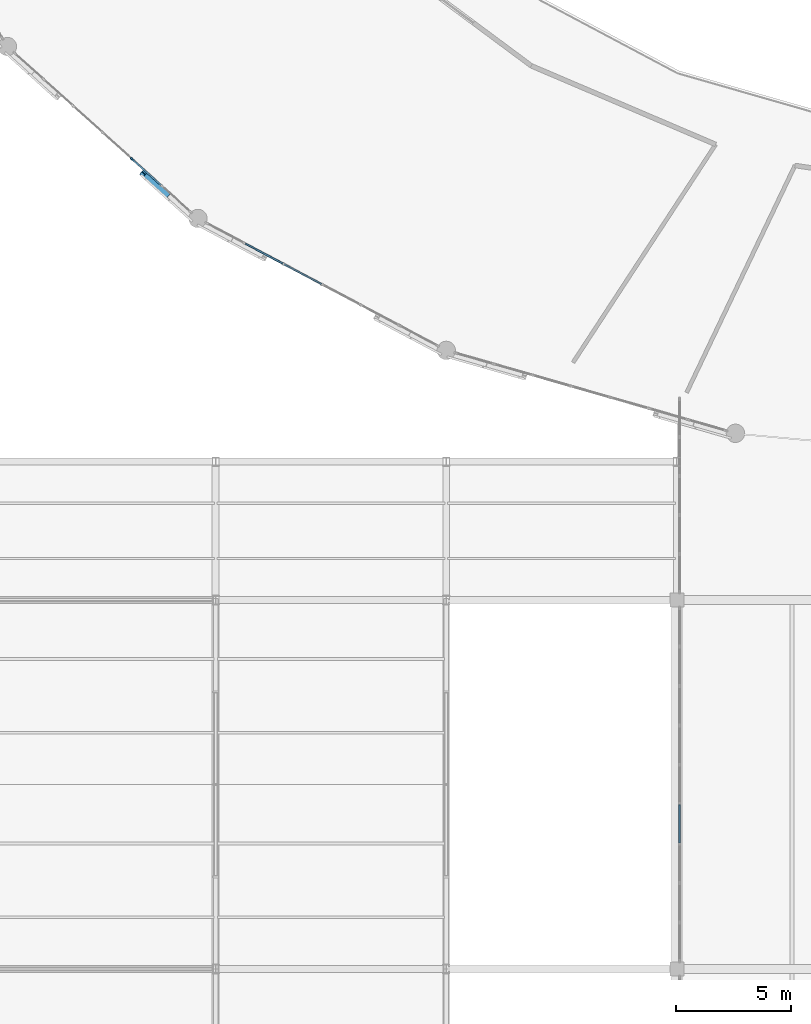
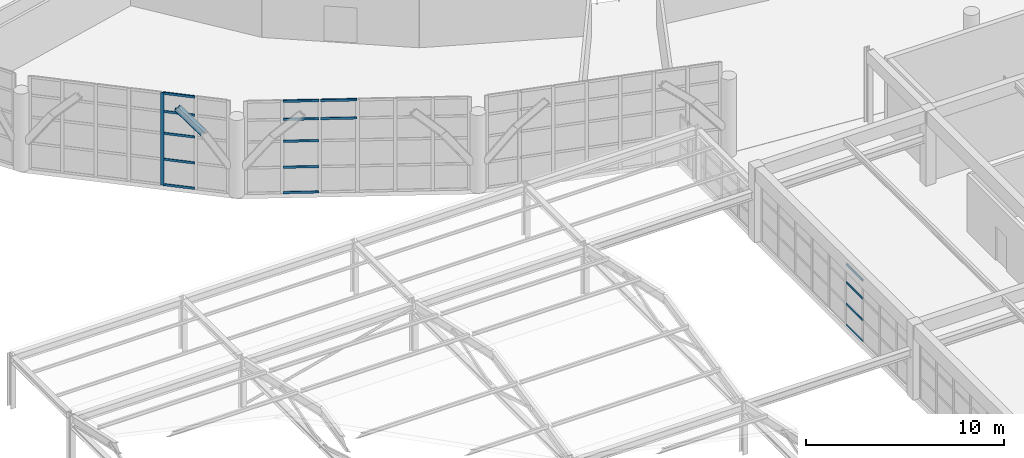
# One storey, part 20 of 109: 17 members, 1 beam, 3 elements without a shape of their own.
"""IFC4 building model written with IfcOpenShell, lengths in metres."""

from ifc_helpers import new_model, si_unit, direction, frame, origin, origin_2d, place, context, subcontext, project, spatial, rectangle, i_section, extrude, material, layer, layer_set, material_profile, profile_set, type_object, element, aggregate, save


model = new_model("IFC4")

# Units and contexts
model_context = context("Model", 3, precision=1e-05, world=origin(), true_north=direction((0.0, 1.0)))
body_context = subcontext(model_context, "Body", "Model", "MODEL_VIEW")
ifc_project = project(units=[si_unit("LENGTHUNIT", "METRE"), si_unit("AREAUNIT", "SQUARE_METRE"), si_unit("VOLUMEUNIT", "CUBIC_METRE"), si_unit("PLANEANGLEUNIT", "RADIAN"), si_unit("MASSUNIT", "GRAM", prefix="KILO")], contexts=[model_context])

# Site, building, storey
site_placement = place(None, origin())
site = spatial("IfcSite", under=ifc_project, at=site_placement, CompositionType="ELEMENT")
building_placement = place(site_placement, origin())
building = spatial("IfcBuilding", under=site, at=building_placement, Name="Kivolera Central Railway Station", CompositionType="ELEMENT")
storey_placement = place(building_placement, frame((0.0, 0.0, 9.60009765625)))
storey = spatial("IfcBuildingStorey", under=building, at=storey_placement, Name="L02", CompositionType="ELEMENT", Elevation=9.60009765625)

# Beam
ifc_material_1 = material(Name="Steel S355", Category="steel")
ifc_material_profile_1 = material_profile(ifc_material_1, i_section(OverallWidth=0.300048828125, OverallDepth=0.300048828125, WebThickness=0.010986328125, FlangeThickness=0.01904296875, FilletRadius=0.027099609375, at=origin_2d()), Name="HEB 300")
ifc_profile_set_1 = profile_set([ifc_material_profile_1], Name="Steel S355")
beam_type = type_object("IfcBeamType", Name="BM-LANT-ARCH", PredefinedType="SPANDREL", material=ifc_profile_set_1)
beam_placement = place(storey_placement, frame((24.875, 66.508056640625, 4.9599609375), z_axis=(0.523541860039, -0.473044746716, -0.708613144382), x_axis=(0.670417548864, 0.741984036334, 0.0)))
element("IfcBeam", 1, at=beam_placement, inside=storey, type_object=beam_type, Name="Oval Lantern Structural Arch Rib 15.5", PredefinedType="SPANDREL", context=body_context, shape_type="SweptSolid", body=[
    extrude(i_section(OverallWidth=0.300048828125, OverallDepth=0.300048828125, WebThickness=0.010986328125, FlangeThickness=0.01904296875, FilletRadius=0.027099609375, at=origin_2d()), origin(), (0.0, 0.0, 1.0), 1.91943359375),
])

# Curtain wall, members
ifc_material_2 = material(Name="Anodised aluminium", Category="aluminium")
ifc_layer_1 = layer(ifc_material_2, 0.179931640625, Name="Anodised aluminium")
ifc_layer_set_1 = layer_set([ifc_layer_1], Name="Anodised aluminium")
curtain_wall_type_1 = type_object("IfcCurtainWallType", Name="CW-SYS-06", PredefinedType="NOTDEFINED", material=ifc_layer_set_1)
curtain_wall_1_placement = place(storey_placement, origin())
curtain_wall_1 = element("IfcCurtainWall", 2, at=curtain_wall_1_placement, inside=storey, type_object=curtain_wall_type_1, Name="L02 Curtain Wall CW-L02-OVL-14", PredefinedType="NOTDEFINED")
ifc_material_profile_2 = material_profile(ifc_material_2, rectangle(XDim=0.070068359375, YDim=0.179931640625, at=origin_2d()), Name="ALU MULL 70x180")
ifc_profile_set_2 = profile_set([ifc_material_profile_2], Name="Anodised aluminium")
member_type_1 = type_object("IfcMemberType", Name="CWM-MUL-1", PredefinedType="MULLION", material=ifc_profile_set_2)
member_1_placement = place(storey_placement, frame((24.376708984375, 67.11865234375, -0.005126953125), z_axis=(0.0, 0.0, 1.0), x_axis=(-0.66992157428, -0.742431871833, 0.0)))
member_1 = element("IfcMember", 3, at=member_1_placement, type_object=member_type_1, Name="CW-06 mullion 3", PredefinedType="MULLION", context=body_context, shape_type="SweptSolid", body=[
    extrude(rectangle(XDim=0.070068359375, YDim=0.179931640625, at=origin_2d()), origin(), (0.0, 0.0, 1.0), 5.705078125),
])
ifc_material_profile_3 = material_profile(ifc_material_2, rectangle(XDim=0.070068359375, YDim=0.139892578125, at=origin_2d()), Name="ALU TRAN 70x140")
ifc_profile_set_3 = profile_set([ifc_material_profile_3], Name="Anodised aluminium")
member_type_2 = type_object("IfcMemberType", Name="CWM-TRN-1", PredefinedType="USERDEFINED", material=ifc_profile_set_3)
member_2_placement = place(storey_placement, frame((25.62890625, 65.98876953125, 0.034912109375), z_axis=(-0.74246304586, 0.669887024455, 0.0), x_axis=(-0.669887024455, -0.74246304586, 0.0)))
member_2 = element("IfcMember", 4, at=member_2_placement, type_object=member_type_2, Name="CW-06 transom 2.1", ObjectType="TRANSOM", PredefinedType="USERDEFINED", context=body_context, shape_type="SweptSolid", body=[
    extrude(rectangle(XDim=0.070068359375, YDim=0.139892578125, at=origin_2d()), origin(), (0.0, 0.0, 1.0), 1.651611328125),
])
member_3_placement = place(storey_placement, frame((25.62890625, 65.98876953125, 1.599853515625), z_axis=(-0.74246304586, 0.669887024455, 0.0), x_axis=(-0.669887024455, -0.74246304586, 0.0)))
member_3 = element("IfcMember", 5, at=member_3_placement, type_object=member_type_2, Name="CW-06 transom 2.2", ObjectType="TRANSOM", PredefinedType="USERDEFINED", context=body_context, shape_type="SweptSolid", body=[
    extrude(rectangle(XDim=0.070068359375, YDim=0.139892578125, at=origin_2d()), origin(), (0.0, 0.0, 1.0), 1.651611328125),
])
member_4_placement = place(storey_placement, frame((25.62890625, 65.98876953125, 3.199951171875), z_axis=(-0.74246304586, 0.669887024455, 0.0), x_axis=(-0.669887024455, -0.74246304586, 0.0)))
member_4 = element("IfcMember", 6, at=member_4_placement, type_object=member_type_2, Name="CW-06 transom 2.3", ObjectType="TRANSOM", PredefinedType="USERDEFINED", context=body_context, shape_type="SweptSolid", body=[
    extrude(rectangle(XDim=0.070068359375, YDim=0.139892578125, at=origin_2d()), origin(), (0.0, 0.0, 1.0), 1.651611328125),
])
member_5_placement = place(storey_placement, frame((25.62890625, 65.98876953125, 4.5498046875), z_axis=(-0.74246304586, 0.669887024455, 0.0), x_axis=(-0.669887024455, -0.74246304586, 0.0)))
member_5 = element("IfcMember", 7, at=member_5_placement, type_object=member_type_2, Name="CW-06 transom 2.4", ObjectType="TRANSOM", PredefinedType="USERDEFINED", context=body_context, shape_type="SweptSolid", body=[
    extrude(rectangle(XDim=0.070068359375, YDim=0.139892578125, at=origin_2d()), origin(), (0.0, 0.0, 1.0), 1.651611328125),
])
member_6_placement = place(storey_placement, frame((25.62890625, 65.98876953125, 5.664794921875), z_axis=(-0.74246304586, 0.669887024455, 0.0), x_axis=(-0.669887024455, -0.74246304586, 0.0)))
member_6 = element("IfcMember", 8, at=member_6_placement, type_object=member_type_2, Name="CW-06 transom 2.5", ObjectType="TRANSOM", PredefinedType="USERDEFINED", context=body_context, shape_type="SweptSolid", body=[
    extrude(rectangle(XDim=0.070068359375, YDim=0.139892578125, at=origin_2d()), origin(), (0.0, 0.0, 1.0), 1.651611328125),
])
aggregate(curtain_wall_1, [member_1, member_2, member_3, member_4, member_5, member_6])

ifc_layer_2 = layer(ifc_material_2, 0.179931640625, Name="Anodised aluminium")
ifc_layer_set_2 = layer_set([ifc_layer_2], Name="Anodised aluminium")
curtain_wall_type_2 = type_object("IfcCurtainWallType", Name="CW-SYS-09", PredefinedType="NOTDEFINED", material=ifc_layer_set_2)
curtain_wall_2_placement = place(storey_placement, origin())
curtain_wall_2 = element("IfcCurtainWall", 9, at=curtain_wall_2_placement, inside=storey, type_object=curtain_wall_type_2, Name="L02 Curtain Wall CW-L02-OVL-15", PredefinedType="NOTDEFINED")
member_7_placement = place(storey_placement, frame((32.583984375, 61.699951171875, 4.5498046875), z_axis=(-0.88318656257, 0.469021849913, 0.0), x_axis=(-0.469021849913, -0.88318656257, 0.0)))
member_7 = element("IfcMember", 10, at=member_7_placement, type_object=member_type_2, Name="CW-09 transom 4.4", ObjectType="TRANSOM", PredefinedType="USERDEFINED", context=body_context, shape_type="SweptSolid", body=[
    extrude(rectangle(XDim=0.070068359375, YDim=0.139892578125, at=origin_2d()), origin(), (0.0, 0.0, 1.0), 1.8291015625),
])
member_8_placement = place(storey_placement, frame((32.583984375, 61.699951171875, 5.664794921875), z_axis=(-0.88318656257, 0.469021849913, 0.0), x_axis=(-0.469021849913, -0.88318656257, 0.0)))
member_8 = element("IfcMember", 11, at=member_8_placement, type_object=member_type_2, Name="CW-09 transom 4.5", ObjectType="TRANSOM", PredefinedType="USERDEFINED", context=body_context, shape_type="SweptSolid", body=[
    extrude(rectangle(XDim=0.070068359375, YDim=0.139892578125, at=origin_2d()), origin(), (0.0, 0.0, 1.0), 1.8291015625),
])
member_9_placement = place(storey_placement, frame((30.90673828125, 62.5908203125, 0.034912109375), z_axis=(-0.88318656257, 0.469021849913, 0.0), x_axis=(-0.469021849913, -0.88318656257, 0.0)))
member_9 = element("IfcMember", 12, at=member_9_placement, type_object=member_type_2, Name="CW-09 transom 5.1", ObjectType="TRANSOM", PredefinedType="USERDEFINED", context=body_context, shape_type="SweptSolid", body=[
    extrude(rectangle(XDim=0.070068359375, YDim=0.139892578125, at=origin_2d()), origin(), (0.0, 0.0, 1.0), 1.8291015625),
])
member_10_placement = place(storey_placement, frame((30.90673828125, 62.5908203125, 1.599853515625), z_axis=(-0.88318656257, 0.469021849913, 0.0), x_axis=(-0.469021849913, -0.88318656257, 0.0)))
member_10 = element("IfcMember", 13, at=member_10_placement, type_object=member_type_2, Name="CW-09 transom 5.2", ObjectType="TRANSOM", PredefinedType="USERDEFINED", context=body_context, shape_type="SweptSolid", body=[
    extrude(rectangle(XDim=0.070068359375, YDim=0.139892578125, at=origin_2d()), origin(), (0.0, 0.0, 1.0), 1.8291015625),
])
member_11_placement = place(storey_placement, frame((30.90673828125, 62.5908203125, 3.199951171875), z_axis=(-0.88318656257, 0.469021849913, 0.0), x_axis=(-0.469021849913, -0.88318656257, 0.0)))
member_11 = element("IfcMember", 14, at=member_11_placement, type_object=member_type_2, Name="CW-09 transom 5.3", ObjectType="TRANSOM", PredefinedType="USERDEFINED", context=body_context, shape_type="SweptSolid", body=[
    extrude(rectangle(XDim=0.070068359375, YDim=0.139892578125, at=origin_2d()), origin(), (0.0, 0.0, 1.0), 1.8291015625),
])
member_12_placement = place(storey_placement, frame((30.90673828125, 62.5908203125, 4.5498046875), z_axis=(-0.88318656257, 0.469021849913, 0.0), x_axis=(-0.469021849913, -0.88318656257, 0.0)))
member_12 = element("IfcMember", 15, at=member_12_placement, type_object=member_type_2, Name="CW-09 transom 5.4", ObjectType="TRANSOM", PredefinedType="USERDEFINED", context=body_context, shape_type="SweptSolid", body=[
    extrude(rectangle(XDim=0.070068359375, YDim=0.139892578125, at=origin_2d()), origin(), (0.0, 0.0, 1.0), 1.8291015625),
])
member_13_placement = place(storey_placement, frame((30.90673828125, 62.5908203125, 5.664794921875), z_axis=(-0.88318656257, 0.469021849913, 0.0), x_axis=(-0.469021849913, -0.88318656257, 0.0)))
member_13 = element("IfcMember", 16, at=member_13_placement, type_object=member_type_2, Name="CW-09 transom 5.5", ObjectType="TRANSOM", PredefinedType="USERDEFINED", context=body_context, shape_type="SweptSolid", body=[
    extrude(rectangle(XDim=0.070068359375, YDim=0.139892578125, at=origin_2d()), origin(), (0.0, 0.0, 1.0), 1.8291015625),
])
aggregate(curtain_wall_2, [member_7, member_8, member_9, member_10, member_11, member_12, member_13])

ifc_layer_3 = layer(ifc_material_2, 0.179931640625, Name="Anodised aluminium")
ifc_layer_set_3 = layer_set([ifc_layer_3], Name="Anodised aluminium")
curtain_wall_type_3 = type_object("IfcCurtainWallType", Name="CW-SYS-18", PredefinedType="NOTDEFINED", material=ifc_layer_set_3)
curtain_wall_3_placement = place(storey_placement, origin())
curtain_wall_3 = element("IfcCurtainWall", 17, at=curtain_wall_3_placement, inside=storey, type_object=curtain_wall_type_3, Name="L02 Curtain Wall CW-L02-BRGW-3", PredefinedType="NOTDEFINED")
ifc_material_profile_4 = material_profile(ifc_material_2, rectangle(XDim=0.06005859375, YDim=0.1201171875, at=origin_2d()), Name="ALU TRAN 60x120")
ifc_profile_set_4 = profile_set([ifc_material_profile_4], Name="Anodised aluminium")
member_type_3 = type_object("IfcMemberType", Name="CWM-TRN-2", PredefinedType="USERDEFINED", material=ifc_profile_set_4)
member_14_placement = place(storey_placement, frame((48.1201171875, 37.466552734375, 0.02978515625), z_axis=(0.0, 1.0, 0.0), x_axis=(-1.0, 0.0, 0.0)))
member_14 = element("IfcMember", 18, at=member_14_placement, type_object=member_type_3, Name="CW-18 transom 4.1", ObjectType="TRANSOM", PredefinedType="USERDEFINED", context=body_context, shape_type="SweptSolid", body=[
    extrude(rectangle(XDim=0.06005859375, YDim=0.1201171875, at=origin_2d()), origin(), (0.0, 0.0, 1.0), 1.64892578125),
])
member_15_placement = place(storey_placement, frame((48.1201171875, 37.466552734375, 1.329833984375), z_axis=(0.0, 1.0, 0.0), x_axis=(-1.0, 0.0, 0.0)))
member_15 = element("IfcMember", 19, at=member_15_placement, type_object=member_type_3, Name="CW-18 transom 4.2", ObjectType="TRANSOM", PredefinedType="USERDEFINED", context=body_context, shape_type="SweptSolid", body=[
    extrude(rectangle(XDim=0.06005859375, YDim=0.1201171875, at=origin_2d()), origin(), (0.0, 0.0, 1.0), 1.64892578125),
])
member_16_placement = place(storey_placement, frame((48.1201171875, 37.466552734375, 2.659912109375), z_axis=(0.0, 1.0, 0.0), x_axis=(-1.0, 0.0, 0.0)))
member_16 = element("IfcMember", 20, at=member_16_placement, type_object=member_type_3, Name="CW-18 transom 4.3", ObjectType="TRANSOM", PredefinedType="USERDEFINED", context=body_context, shape_type="SweptSolid", body=[
    extrude(rectangle(XDim=0.06005859375, YDim=0.1201171875, at=origin_2d()), origin(), (0.0, 0.0, 1.0), 1.64892578125),
])
member_17_placement = place(storey_placement, frame((48.1201171875, 37.466552734375, 3.77001953125), z_axis=(0.0, 1.0, 0.0), x_axis=(-1.0, 0.0, 0.0)))
member_17 = element("IfcMember", 21, at=member_17_placement, type_object=member_type_3, Name="CW-18 transom 4.4", ObjectType="TRANSOM", PredefinedType="USERDEFINED", context=body_context, shape_type="SweptSolid", body=[
    extrude(rectangle(XDim=0.06005859375, YDim=0.1201171875, at=origin_2d()), origin(), (0.0, 0.0, 1.0), 1.64892578125),
])
aggregate(curtain_wall_3, [member_14, member_15, member_16, member_17])

save(model, "model.ifc")
